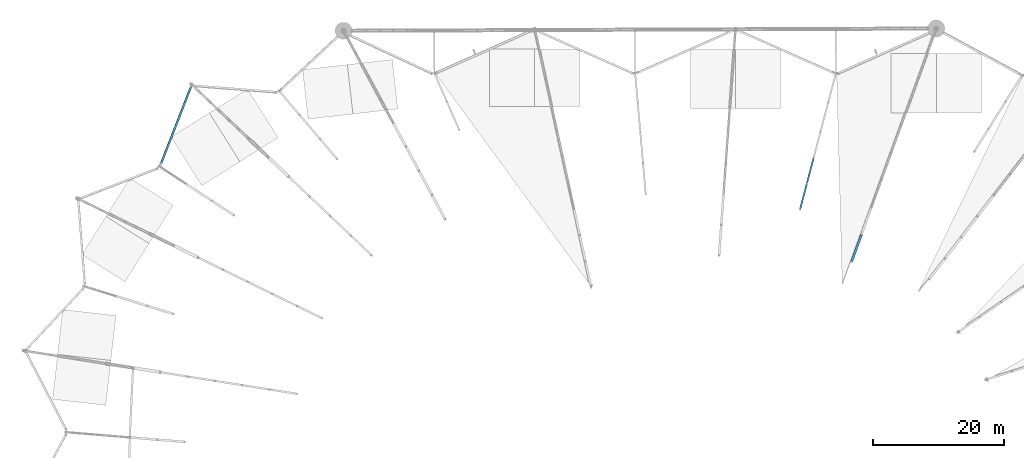
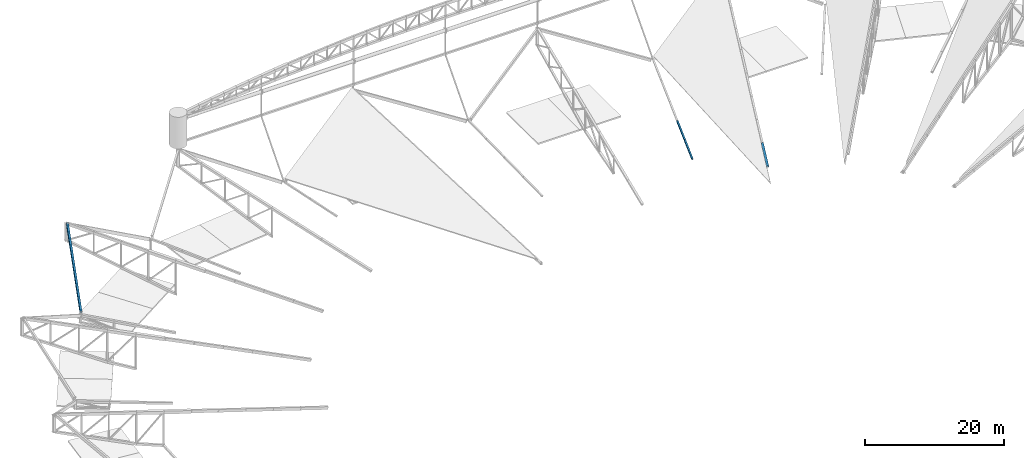
# One storey, part 75 of 188: 3 members, 1 beam.
"""IFC4 building model written with IfcOpenShell, lengths in metres."""

import ifcopenshell
import ifcopenshell.guid

model = None  # the IFC model being written
_history = None  # IfcOwnerHistory: only IFC2X3 demands one
_inside = {}  # id of a spatial element -> (the spatial element, [elements in it])
_under = {}  # id of a project, library or spatial element -> (it, [spatial elements below it])
_declared = {}  # id of a project -> (the project, [libraries it declares])
_typed = {}  # id of a type object -> (the type object, [elements of that type])
_made_of = {}  # id of a material, layer set ... -> (it, [elements and type objects made of it])


def new_model(schema):
    """Start an empty IFC model of exactly this schema.

    Asked for "IFC4X3", IfcOpenShell would pick the latest addendum, in which some entities
    have other attributes; the version numbers below select the first issue.
    IFC2X3 requires an IfcOwnerHistory on every rooted entity: one is made here for all.
    """
    global model, _history
    if schema == "IFC4X3":
        model = ifcopenshell.file(schema_version=(4, 3, 0, 0))
    else:
        model = ifcopenshell.file(schema=schema)
    _inside.clear()
    _under.clear()
    _declared.clear()
    _typed.clear()
    _made_of.clear()
    _history = None
    if model.schema == "IFC2X3":
        org = make("IfcOrganization", Name="unknown")
        user = make(
            "IfcPersonAndOrganization",
            ThePerson=make("IfcPerson", FamilyName="unknown"),
            TheOrganization=org,
        )
        app = make(
            "IfcApplication",
            ApplicationDeveloper=org,
            Version="unknown",
            ApplicationFullName="unknown",
            ApplicationIdentifier="unknown",
        )
        _history = make(
            "IfcOwnerHistory",
            OwningUser=user,
            OwningApplication=app,
            ChangeAction="ADDED",
            CreationDate=0,
        )
    return model


def make(cls, **values):
    """One entity of the class cls with the attributes given. An attribute that is None is left unset."""
    return model.create_entity(
        cls, **{name: value for name, value in values.items() if value is not None}
    )


def rooted(cls, **values):
    """An entity with a GlobalId (a new one), such as an element, a storey or a relation."""
    return make(cls, GlobalId=ifcopenshell.guid.new(), OwnerHistory=_history, **values)


def si_unit(unit_type, name, prefix=None):
    """IfcSIUnit, for example si_unit("LENGTHUNIT", "METRE", prefix="MILLI")."""
    return make("IfcSIUnit", UnitType=unit_type, Prefix=prefix, Name=name)


def assignment(units):
    """IfcUnitAssignment: the units of a project."""
    return None if units is None else make("IfcUnitAssignment", Units=units)


def point(xyz):
    """IfcCartesianPoint."""
    return None if xyz is None else make("IfcCartesianPoint", Coordinates=xyz)


def direction(xyz):
    """IfcDirection."""
    return None if xyz is None else make("IfcDirection", DirectionRatios=xyz)


def frame(location, z_axis=None, x_axis=None):
    """IfcAxis2Placement3D, a coordinate frame: its origin and axes. An axis left out is left unset."""
    return make(
        "IfcAxis2Placement3D",
        Location=point(location),
        Axis=direction(z_axis),
        RefDirection=direction(x_axis),
    )


def frame_2d(location, x_axis=None):
    """IfcAxis2Placement2D, a coordinate frame in the plane: its origin and x axis."""
    return make(
        "IfcAxis2Placement2D", Location=point(location), RefDirection=direction(x_axis)
    )


def origin():
    """The frame at (0, 0, 0) with its axes left unset."""
    return frame((0.0, 0.0, 0.0))


def origin_2d():
    """The frame at (0, 0) in the plane with its x axis left unset."""
    return frame_2d((0.0, 0.0))


def place(relative_to, where):
    """IfcLocalPlacement: puts the frame where relative to a parent placement (None: the world)."""
    return make(
        "IfcLocalPlacement", PlacementRelTo=relative_to, RelativePlacement=where
    )


def context(
    kind, dimensions, precision=None, world=None, true_north=None, identifier=None
):
    """IfcGeometricRepresentationContext, for example the 3D "Model" context."""
    return make(
        "IfcGeometricRepresentationContext",
        ContextIdentifier=identifier,
        ContextType=kind,
        CoordinateSpaceDimension=dimensions,
        Precision=precision,
        WorldCoordinateSystem=world,
        TrueNorth=true_north,
    )


def subcontext(parent, identifier, kind, view, scale=None):
    """IfcGeometricRepresentationSubContext, for example "Body" below "Model"."""
    return make(
        "IfcGeometricRepresentationSubContext",
        ContextIdentifier=identifier,
        ContextType=kind,
        ParentContext=parent,
        TargetScale=scale,
        TargetView=view,
    )


def project(units=None, contexts=None):
    """IfcProject with its units and contexts."""
    return rooted(
        "IfcProject",
        Name="project",
        RepresentationContexts=contexts,
        UnitsInContext=assignment(units),
    )


def spatial(cls, under=None, at=None, **own):
    """A site, building, storey or space (cls), placed at a placement, below another one or the project."""
    s = rooted(cls, ObjectPlacement=at, **own)
    if under is not None:
        _under.setdefault(under.id(), (under, []))[1].append(s)
    return s


def profile(cls, at=None, kind="AREA", **sizes):
    """A parametric profile (cls). Its sizes go by their IFC names, for example OverallWidth=200.0."""
    return make(cls, ProfileType=kind, Position=at, **sizes)


def hollow_rectangle(**sizes):
    """IfcRectangleHollowProfileDef."""
    return profile("IfcRectangleHollowProfileDef", **sizes)


def extrude(swept, where, along, depth):
    """IfcExtrudedAreaSolid: the profile swept, set in the frame where, extruded along a direction by depth."""
    return make(
        "IfcExtrudedAreaSolid",
        SweptArea=swept,
        Position=where,
        ExtrudedDirection=direction(along),
        Depth=depth,
    )


def shape(context_of_items, identifier, shape_type, items):
    """IfcShapeRepresentation: the items that make up one representation, for example the "Body"."""
    return make(
        "IfcShapeRepresentation",
        ContextOfItems=context_of_items,
        RepresentationIdentifier=identifier,
        RepresentationType=shape_type,
        Items=items,
    )


def material(Name=None, Category=None):
    """IfcMaterial."""
    return make("IfcMaterial", Name=Name, Category=Category)


def material_profile(
    of_material, cross_section, Name=None, Category=None, Priority=None
):
    """IfcMaterialProfile: a cross section and its material."""
    return make(
        "IfcMaterialProfile",
        Name=Name,
        Material=of_material,
        Profile=cross_section,
        Priority=Priority,
        Category=Category,
    )


def profile_set(profiles, Name=None, composite=None):
    """IfcMaterialProfileSet."""
    return make(
        "IfcMaterialProfileSet",
        Name=Name,
        MaterialProfiles=profiles,
        CompositeProfile=composite,
    )


def made_of(thing, what):
    """Note that an element or type object is made of a material, layer set ...; save() writes the relation."""
    if what is not None:
        _made_of.setdefault(what.id(), (what, []))[1].append(thing)
    return thing


def type_object(cls, material=None, **own):
    """A type object (cls), such as IfcWallType, which elements share."""
    return made_of(rooted(cls, **own), material)


def element(
    cls,
    number,
    at=None,
    inside=None,
    cuts=None,
    type_object=None,
    material=None,
    context=None,
    identifier="Body",
    shape_type=None,
    held_by="IfcProductDefinitionShape",
    body=None,
    shapes=None,
    **own,
):
    """One element of the class cls, such as IfcWall. Its Tag is "e" and its number.

    at: its placement. inside: the storey or other place that contains it. cuts: it is an
    opening in that element (IfcRelVoidsElement). A single representation is given by context,
    identifier, shape_type and body (its items); several are given by shapes. held_by: the class
    of the entity that holds the representations. save() writes the other relations.
    """
    e = rooted(cls, Tag="e%d" % number, ObjectPlacement=at, **own)
    if body is not None:
        shapes = [shape(context, identifier, shape_type, body)]
    if shapes is not None:
        e.Representation = make(held_by, Representations=shapes)
    if inside is not None:
        _inside.setdefault(inside.id(), (inside, []))[1].append(e)
    if cuts is not None:
        rooted(
            "IfcRelVoidsElement", RelatingBuildingElement=cuts, RelatedOpeningElement=e
        )
    if type_object is not None:
        _typed.setdefault(type_object.id(), (type_object, []))[1].append(e)
    return made_of(e, material)


def aggregate(whole, parts):
    """IfcRelAggregates: a whole, such as a stair, and the parts it consists of."""
    return rooted("IfcRelAggregates", RelatingObject=whole, RelatedObjects=parts)


def save(model, path):
    """Write the relations noted so far, then the file.

    IfcRelAggregates (storeys below a building ...), IfcRelContainedInSpatialStructure (elements
    in a storey), IfcRelDefinesByType, IfcRelAssociatesMaterial and IfcRelDeclares: one each for
    every whole, place, type object, material and project.
    """
    for whole, parts in _under.values():
        aggregate(whole, parts)
    for where, things in _inside.values():
        rooted(
            "IfcRelContainedInSpatialStructure",
            RelatedElements=things,
            RelatingStructure=where,
        )
    for kind, things in _typed.values():
        rooted("IfcRelDefinesByType", RelatedObjects=things, RelatingType=kind)
    for what, things in _made_of.values():
        rooted("IfcRelAssociatesMaterial", RelatedObjects=things, RelatingMaterial=what)
    for by, libraries in _declared.values():
        rooted("IfcRelDeclares", RelatingContext=by, RelatedDefinitions=libraries)
    model.write(path)


model = new_model("IFC4")

# Units and contexts
model_context = context("Model", 3, precision=1e-05, world=origin(), true_north=direction((0.0, 1.0)))
body_context = subcontext(model_context, "Body", "Model", "MODEL_VIEW")
ifc_project = project(units=[si_unit("LENGTHUNIT", "METRE"), si_unit("AREAUNIT", "SQUARE_METRE"), si_unit("VOLUMEUNIT", "CUBIC_METRE"), si_unit("PLANEANGLEUNIT", "RADIAN"), si_unit("MASSUNIT", "GRAM", prefix="KILO")], contexts=[model_context])

# Site, building, storey
site_placement = place(None, origin())
site = spatial("IfcSite", under=ifc_project, at=site_placement, CompositionType="ELEMENT")
building_placement = place(site_placement, origin())
building = spatial("IfcBuilding", under=site, at=building_placement, Name="Meseta Stadium", CompositionType="ELEMENT")
storey_placement = place(building_placement, frame((0.0, 0.0, 30.0)))
storey = spatial("IfcBuildingStorey", under=building, at=storey_placement, Name="ROOF", CompositionType="ELEMENT", Elevation=30.0)

# Beam
ifc_material_1 = material(Name="Steel S355", Category="steel")
ifc_material_profile_1 = material_profile(ifc_material_1, hollow_rectangle(XDim=0.300048828125, YDim=0.5, WallThickness=0.01611328125, at=origin_2d()), Name="RHS 500x300x16")
ifc_profile_set_1 = profile_set([ifc_material_profile_1], Name="Steel S355")
beam_type = type_object("IfcBeamType", Name="RHS 500x300x16 rim ring beam", PredefinedType="BEAM", material=ifc_profile_set_1)
beam_placement = place(storey_placement, frame((-75.3447265625, 96.906982421875, 10.399169921875), z_axis=(-0.324261104306, -0.83161791837, -0.450850722612), x_axis=(0.938856995799, -0.341248257523, -0.045794848801)))
element("IfcBeam", 1, at=beam_placement, inside=storey, type_object=beam_type, Name="RIM RING BEAM 25", PredefinedType="BEAM", context=body_context, shape_type="SweptSolid", body=[
    extrude(hollow_rectangle(XDim=0.300048828125, YDim=0.5, WallThickness=0.01611328125, at=origin_2d()), origin(), (0.0, 0.0, 1.0), 14.6728515625),
])

# Members
ifc_material_2 = material(Name="Steel S355", Category="steel")
ifc_material_profile_2 = material_profile(ifc_material_2, hollow_rectangle(XDim=0.25, YDim=0.25, WallThickness=0.010009765625, at=origin_2d()), Name="SHS 250x250x10")
ifc_profile_set_2 = profile_set([ifc_material_profile_2], Name="Steel S355")
member_type_1 = type_object("IfcMemberType", Name="SHS 250x250x10 top chord", PredefinedType="CHORD", material=ifc_profile_set_2)
member_1_placement = place(storey_placement, frame((17.51953125, 77.74658203125, 0.7265625), z_axis=(0.25175622822, 0.9578399689, 0.138424692634), x_axis=(-0.967150765776, 0.254203454457, 0.0)))
element("IfcMember", 2, at=member_1_placement, inside=storey, type_object=member_type_1, Name="ROOF TRUSS RT-17 top chord", PredefinedType="CHORD", context=body_context, shape_type="SweptSolid", body=[
    extrude(hollow_rectangle(XDim=0.25, YDim=0.25, WallThickness=0.010009765625, at=origin_2d()), origin(), (0.0, 0.0, 1.0), 4.144775390625),
])
member_2_placement = place(storey_placement, frame((18.56298828125, 81.716552734375, 1.30029296875), z_axis=(0.251715258624, 0.957849310843, 0.138434555995), x_axis=(-0.967161544872, 0.254162440421, 0.0)))
element("IfcMember", 3, at=member_2_placement, inside=storey, type_object=member_type_1, Name="ROOF TRUSS RT-17 top chord", PredefinedType="CHORD", context=body_context, shape_type="SweptSolid", body=[
    extrude(hollow_rectangle(XDim=0.25, YDim=0.25, WallThickness=0.010009765625, at=origin_2d()), origin(), (0.0, 0.0, 1.0), 4.14453125),
])
ifc_material_3 = material(Name="Steel S355", Category="steel")
ifc_material_profile_3 = material_profile(ifc_material_3, hollow_rectangle(XDim=0.35009765625, YDim=0.35009765625, WallThickness=0.010009765625, at=origin_2d()), Name="SHS 350x350x10")
ifc_profile_set_3 = profile_set([ifc_material_profile_3], Name="Steel S355")
member_type_2 = type_object("IfcMemberType", Name="SHS 350x350x10 top chord", PredefinedType="CHORD", material=ifc_profile_set_3)
member_3_placement = place(storey_placement, frame((25.390380859375, 69.7392578125, 1.493896484375), z_axis=(0.332121563749, 0.915051800317, 0.228856875861), x_axis=(-0.939999305221, 0.341176356426, 0.0)))
element("IfcMember", 4, at=member_3_placement, inside=storey, type_object=member_type_2, Name="ROOF TRUSS RT-16 top chord", PredefinedType="CHORD", context=body_context, shape_type="SweptSolid", body=[
    extrude(hollow_rectangle(XDim=0.35009765625, YDim=0.35009765625, WallThickness=0.010009765625, at=origin_2d()), origin(), (0.0, 0.0, 1.0), 4.548828125),
])

save(model, "model.ifc")
